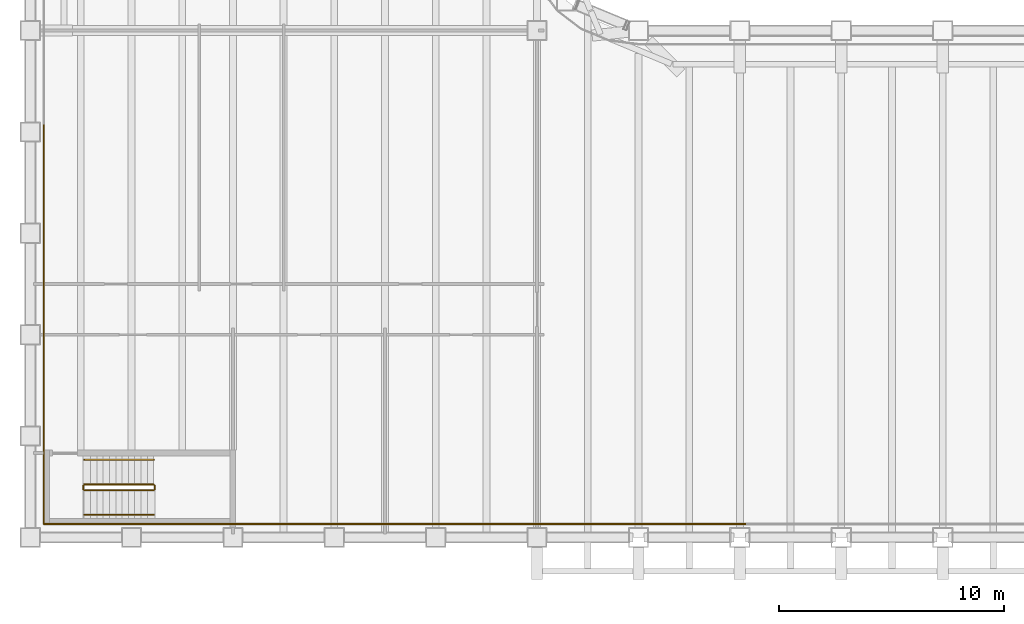
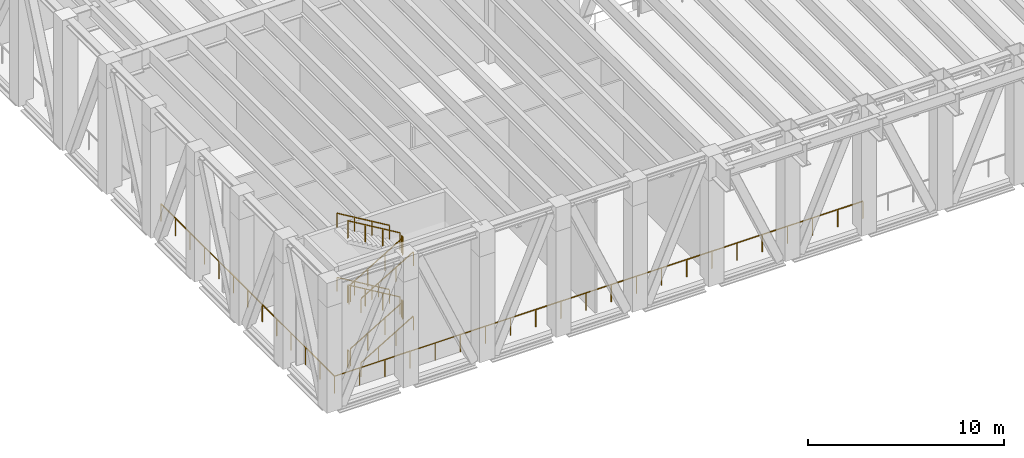
# One storey, part 13 of 16: 23 railings.
"""IFC4 building model written with IfcOpenShell, lengths in metres."""

from ifc_helpers import new_model, si_unit, direction, frame, origin, origin_2d, place, context, subcontext, project, spatial, rectangle, extrude, material, type_object, element, save


model = new_model("IFC4")

# Units and contexts
model_context = context("Model", 3, precision=1e-05, world=origin(), true_north=direction((0.0, 1.0)))
body_context = subcontext(model_context, "Body", "Model", "MODEL_VIEW")
ifc_project = project(units=[si_unit("LENGTHUNIT", "METRE"), si_unit("AREAUNIT", "SQUARE_METRE"), si_unit("VOLUMEUNIT", "CUBIC_METRE"), si_unit("PLANEANGLEUNIT", "RADIAN"), si_unit("MASSUNIT", "GRAM", prefix="KILO")], contexts=[model_context])

# Site, building, storey
site_placement = place(None, origin())
site = spatial("IfcSite", under=ifc_project, at=site_placement, CompositionType="ELEMENT")
building_placement = place(site_placement, origin())
building = spatial("IfcBuilding", under=site, at=building_placement, Name="Sennacour Bend Tower", CompositionType="ELEMENT")
storey_placement = place(building_placement, frame((0.0, 0.0, 187.0)))
storey = spatial("IfcBuildingStorey", under=building, at=storey_placement, Name="L43", CompositionType="ELEMENT", Elevation=187.0)

# Railings
ifc_material_1 = material(Name="Stainless steel 316", Category="steel")
railing_type_1 = type_object("IfcRailingType", Name="GUARD 1100", PredefinedType="GUARDRAIL", material=ifc_material_1)
for number, where, name in (
    (1, (31.74951171875, 0.60009765625, 0.0), "Guard L43"),
    (2, (27.299560546875, 0.60009765625, 0.0), "Guard L43"),
    (3, (22.849609375, 0.60009765625, 0.0), "Guard L43"),
    (4, (18.399658203125, 0.60009765625, 0.0), "Guard L43"),
    (5, (13.94970703125, 0.60009765625, 0.0), "Guard L43"),
    (6, (9.499755859375, 0.60009765625, 0.0), "Guard L43"),
):
    element("IfcRailing", number, at=place(storey_placement, frame(where)), inside=storey, type_object=railing_type_1, Name=name, PredefinedType="GUARDRAIL", context=body_context, shape_type="SweptSolid", body=[
        extrude(rectangle(XDim=0.048095703125, YDim=0.048095703125, at=origin_2d()), frame((0.0, 0.0, 1.076171875), z_axis=(-1.0, 0.0, 0.0), x_axis=(0.0, -1.0, 0.0)), (0.0, 0.0, 1.0), 4.449951171875),
        extrude(rectangle(XDim=0.0419921875, YDim=0.0419921875, at=origin_2d()), origin(), (0.0, 0.0, 1.0), 1.052001953125),
        extrude(rectangle(XDim=0.0419921875, YDim=0.0419921875, at=origin_2d()), frame((-1.4833984375, 0.0, 0.0)), (0.0, 0.0, 1.0), 1.052001953125),
        extrude(rectangle(XDim=0.0419921875, YDim=0.0419921875, at=origin_2d()), frame((-2.966552734375, 0.0, 0.0)), (0.0, 0.0, 1.0), 1.052001953125),
        extrude(rectangle(XDim=0.0419921875, YDim=0.0419921875, at=origin_2d()), frame((-4.449951171875, 0.0, 0.0)), (0.0, 0.0, 1.0), 1.052001953125),
    ])
railing_1_placement = place(storey_placement, frame((5.0498046875, 0.60009765625, 0.0)))
element("IfcRailing", 7, at=railing_1_placement, inside=storey, type_object=railing_type_1, Name="Guard L43", PredefinedType="GUARDRAIL", context=body_context, shape_type="SweptSolid", body=[
    extrude(rectangle(XDim=0.048095703125, YDim=0.048095703125, at=origin_2d()), frame((0.0, 0.0, 1.076171875), z_axis=(-1.0, 0.0, 0.0), x_axis=(0.0, -1.0, 0.0)), (0.0, 0.0, 1.0), 4.44970703125),
    extrude(rectangle(XDim=0.0419921875, YDim=0.0419921875, at=origin_2d()), origin(), (0.0, 0.0, 1.0), 1.052001953125),
    extrude(rectangle(XDim=0.0419921875, YDim=0.0419921875, at=origin_2d()), frame((-1.483154296875, 0.0, 0.0)), (0.0, 0.0, 1.0), 1.052001953125),
    extrude(rectangle(XDim=0.0419921875, YDim=0.0419921875, at=origin_2d()), frame((-2.966552734375, 0.0, 0.0)), (0.0, 0.0, 1.0), 1.052001953125),
    extrude(rectangle(XDim=0.0419921875, YDim=0.0419921875, at=origin_2d()), frame((-4.44970703125, 0.0, 0.0)), (0.0, 0.0, 1.0), 1.052001953125),
])
for number, where, name in (
    (8, (0.60009765625, 0.60009765625, 0.0), "Guard L43"),
    (9, (0.60009765625, 5.02490234375, 0.0), "Guard L43"),
    (10, (0.60009765625, 9.44970703125, 0.0), "Guard L43"),
):
    element("IfcRailing", number, at=place(storey_placement, frame(where)), inside=storey, type_object=railing_type_1, Name=name, PredefinedType="GUARDRAIL", context=body_context, shape_type="SweptSolid", body=[
        extrude(rectangle(XDim=0.048095703125, YDim=0.048095703125, at=origin_2d()), frame((0.0, 0.0, 1.076171875), z_axis=(0.0, 1.0, 0.0), x_axis=(-1.0, 0.0, 0.0)), (0.0, 0.0, 1.0), 4.4248046875),
        extrude(rectangle(XDim=0.0419921875, YDim=0.0419921875, at=origin_2d()), origin(), (0.0, 0.0, 1.0), 1.052001953125),
        extrude(rectangle(XDim=0.0419921875, YDim=0.0419921875, at=origin_2d()), frame((0.0, 1.474853515625, 0.0)), (0.0, 0.0, 1.0), 1.052001953125),
        extrude(rectangle(XDim=0.0419921875, YDim=0.0419921875, at=origin_2d()), frame((0.0, 2.949951171875, 0.0)), (0.0, 0.0, 1.0), 1.052001953125),
        extrude(rectangle(XDim=0.0419921875, YDim=0.0419921875, at=origin_2d()), frame((0.0, 4.4248046875, 0.0)), (0.0, 0.0, 1.0), 1.052001953125),
    ])
railing_2_placement = place(storey_placement, frame((0.60009765625, 13.87451171875, 0.0)))
element("IfcRailing", 11, at=railing_2_placement, inside=storey, type_object=railing_type_1, Name="Guard L43", PredefinedType="GUARDRAIL", context=body_context, shape_type="SweptSolid", body=[
    extrude(rectangle(XDim=0.048095703125, YDim=0.048095703125, at=origin_2d()), frame((0.0, 0.0, 1.076171875), z_axis=(0.0, 1.0, 0.0), x_axis=(-1.0, 0.0, 0.0)), (0.0, 0.0, 1.0), 4.425048828125),
    extrude(rectangle(XDim=0.0419921875, YDim=0.0419921875, at=origin_2d()), origin(), (0.0, 0.0, 1.0), 1.052001953125),
    extrude(rectangle(XDim=0.0419921875, YDim=0.0419921875, at=origin_2d()), frame((0.0, 1.47509765625, 0.0)), (0.0, 0.0, 1.0), 1.052001953125),
    extrude(rectangle(XDim=0.0419921875, YDim=0.0419921875, at=origin_2d()), frame((0.0, 2.949951171875, 0.0)), (0.0, 0.0, 1.0), 1.052001953125),
    extrude(rectangle(XDim=0.0419921875, YDim=0.0419921875, at=origin_2d()), frame((0.0, 4.425048828125, 0.0)), (0.0, 0.0, 1.0), 1.052001953125),
])
ifc_material_2 = material(Name="Stainless steel", Category="steel")
railing_type_2 = type_object("IfcRailingType", Name="RL-GUARD-1100", PredefinedType="GUARDRAIL", material=ifc_material_2)
railing_3_placement = place(storey_placement, frame((2.39990234375, 2.10009765625, 0.166748046875)))
element("IfcRailing", 12, at=railing_3_placement, inside=storey, type_object=railing_type_2, Name="L43 SK1 stair guard 1", PredefinedType="GUARDRAIL", context=body_context, shape_type="SweptSolid", body=[
    extrude(rectangle(XDim=0.048095703125, YDim=0.048095703125, at=origin_2d()), frame((0.0, 0.0, 1.076171875), z_axis=(0.859308565015, 0.0, 0.511457515432), x_axis=(0.0, 1.0, 0.0)), (0.0, 0.0, 1.0), 3.58447265625),
    extrude(rectangle(XDim=0.0419921875, YDim=0.0419921875, at=origin_2d()), origin(), (0.0, 0.0, 1.0), 1.052001953125),
    extrude(rectangle(XDim=0.0419921875, YDim=0.0419921875, at=origin_2d()), frame((1.026611328125, 0.0, 0.611083984375)), (0.0, 0.0, 1.0), 1.052001953125),
    extrude(rectangle(XDim=0.0419921875, YDim=0.0419921875, at=origin_2d()), frame((2.053466796875, 0.0, 1.22216796875)), (0.0, 0.0, 1.0), 1.052001953125),
    extrude(rectangle(XDim=0.0419921875, YDim=0.0419921875, at=origin_2d()), frame((3.080078125, 0.0, 1.833251953125)), (0.0, 0.0, 1.0), 1.052001953125),
])
railing_4_placement = place(storey_placement, frame((5.530029296875, 2.14990234375, 2.0)))
element("IfcRailing", 13, at=railing_4_placement, inside=storey, type_object=railing_type_2, Name="L43 SK1 stair guard 2", PredefinedType="GUARDRAIL", context=body_context, shape_type="SweptSolid", body=[
    extrude(rectangle(XDim=0.048095703125, YDim=0.048095703125, at=origin_2d()), frame((0.0, 0.0, 1.076171875), z_axis=(0.0, 1.0, 0.0), x_axis=(-1.0, 0.0, 0.0)), (0.0, 0.0, 1.0), 0.150146484375),
    extrude(rectangle(XDim=0.0419921875, YDim=0.0419921875, at=origin_2d()), origin(), (0.0, 0.0, 1.0), 1.052001953125),
    extrude(rectangle(XDim=0.0419921875, YDim=0.0419921875, at=origin_2d()), frame((0.0, 0.150146484375, 0.0)), (0.0, 0.0, 1.0), 1.052001953125),
])
railing_5_placement = place(storey_placement, frame((5.47998046875, 2.35009765625, 2.166748046875)))
element("IfcRailing", 14, at=railing_5_placement, inside=storey, type_object=railing_type_2, Name="L43 SK1 stair guard 3", PredefinedType="GUARDRAIL", context=body_context, shape_type="SweptSolid", body=[
    extrude(rectangle(XDim=0.048095703125, YDim=0.048095703125, at=origin_2d()), frame((0.0, 0.0, 1.076171875), z_axis=(-0.859308565015, 0.0, 0.511457515432), x_axis=(0.0, -1.0, 0.0)), (0.0, 0.0, 1.0), 3.58447265625),
    extrude(rectangle(XDim=0.0419921875, YDim=0.0419921875, at=origin_2d()), origin(), (0.0, 0.0, 1.0), 1.052001953125),
    extrude(rectangle(XDim=0.0419921875, YDim=0.0419921875, at=origin_2d()), frame((-1.026611328125, 0.0, 0.611083984375)), (0.0, 0.0, 1.0), 1.052001953125),
    extrude(rectangle(XDim=0.0419921875, YDim=0.0419921875, at=origin_2d()), frame((-2.053466796875, 0.0, 1.22216796875)), (0.0, 0.0, 1.0), 1.052001953125),
    extrude(rectangle(XDim=0.0419921875, YDim=0.0419921875, at=origin_2d()), frame((-3.080078125, 0.0, 1.833251953125)), (0.0, 0.0, 1.0), 1.052001953125),
])
railing_6_placement = place(storey_placement, frame((2.35009765625, 2.14990234375, 4.0)))
element("IfcRailing", 15, at=railing_6_placement, inside=storey, type_object=railing_type_2, Name="L43 SK1 stair guard 4", PredefinedType="GUARDRAIL", context=body_context, shape_type="SweptSolid", body=[
    extrude(rectangle(XDim=0.048095703125, YDim=0.048095703125, at=origin_2d()), frame((0.0, 0.0, 1.076171875), z_axis=(0.0, 1.0, 0.0), x_axis=(-1.0, 0.0, 0.0)), (0.0, 0.0, 1.0), 0.150146484375),
    extrude(rectangle(XDim=0.0419921875, YDim=0.0419921875, at=origin_2d()), origin(), (0.0, 0.0, 1.0), 1.052001953125),
    extrude(rectangle(XDim=0.0419921875, YDim=0.0419921875, at=origin_2d()), frame((0.0, 0.150146484375, 0.0)), (0.0, 0.0, 1.0), 1.052001953125),
])
railing_7_placement = place(storey_placement, frame((2.39990234375, 2.10009765625, 4.166748046875)))
element("IfcRailing", 16, at=railing_7_placement, inside=storey, type_object=railing_type_2, Name="L43 SK1 stair guard 5", PredefinedType="GUARDRAIL", context=body_context, shape_type="SweptSolid", body=[
    extrude(rectangle(XDim=0.048095703125, YDim=0.048095703125, at=origin_2d()), frame((0.0, 0.0, 1.076171875), z_axis=(0.859308565015, 0.0, 0.511457515432), x_axis=(0.0, 1.0, 0.0)), (0.0, 0.0, 1.0), 3.58447265625),
    extrude(rectangle(XDim=0.0419921875, YDim=0.0419921875, at=origin_2d()), origin(), (0.0, 0.0, 1.0), 1.052001953125),
    extrude(rectangle(XDim=0.0419921875, YDim=0.0419921875, at=origin_2d()), frame((1.026611328125, 0.0, 0.611083984375)), (0.0, 0.0, 1.0), 1.052001953125),
    extrude(rectangle(XDim=0.0419921875, YDim=0.0419921875, at=origin_2d()), frame((2.053466796875, 0.0, 1.22216796875)), (0.0, 0.0, 1.0), 1.052001953125),
    extrude(rectangle(XDim=0.0419921875, YDim=0.0419921875, at=origin_2d()), frame((3.080078125, 0.0, 1.833251953125)), (0.0, 0.0, 1.0), 1.052001953125),
])
railing_8_placement = place(storey_placement, frame((5.530029296875, 2.14990234375, 6.0)))
element("IfcRailing", 17, at=railing_8_placement, inside=storey, type_object=railing_type_2, Name="L43 SK1 stair guard 6", PredefinedType="GUARDRAIL", context=body_context, shape_type="SweptSolid", body=[
    extrude(rectangle(XDim=0.048095703125, YDim=0.048095703125, at=origin_2d()), frame((0.0, 0.0, 1.076171875), z_axis=(0.0, 1.0, 0.0), x_axis=(-1.0, 0.0, 0.0)), (0.0, 0.0, 1.0), 0.150146484375),
    extrude(rectangle(XDim=0.0419921875, YDim=0.0419921875, at=origin_2d()), origin(), (0.0, 0.0, 1.0), 1.052001953125),
    extrude(rectangle(XDim=0.0419921875, YDim=0.0419921875, at=origin_2d()), frame((0.0, 0.150146484375, 0.0)), (0.0, 0.0, 1.0), 1.052001953125),
])
railing_9_placement = place(storey_placement, frame((5.47998046875, 2.35009765625, 6.166748046875)))
element("IfcRailing", 18, at=railing_9_placement, inside=storey, type_object=railing_type_2, Name="L43 SK1 stair guard 7", PredefinedType="GUARDRAIL", context=body_context, shape_type="SweptSolid", body=[
    extrude(rectangle(XDim=0.048095703125, YDim=0.048095703125, at=origin_2d()), frame((0.0, 0.0, 1.076171875), z_axis=(-0.859308565015, 0.0, 0.511457515432), x_axis=(0.0, -1.0, 0.0)), (0.0, 0.0, 1.0), 3.58447265625),
    extrude(rectangle(XDim=0.0419921875, YDim=0.0419921875, at=origin_2d()), origin(), (0.0, 0.0, 1.0), 1.052001953125),
    extrude(rectangle(XDim=0.0419921875, YDim=0.0419921875, at=origin_2d()), frame((-1.026611328125, 0.0, 0.611083984375)), (0.0, 0.0, 1.0), 1.052001953125),
    extrude(rectangle(XDim=0.0419921875, YDim=0.0419921875, at=origin_2d()), frame((-2.053466796875, 0.0, 1.22216796875)), (0.0, 0.0, 1.0), 1.052001953125),
    extrude(rectangle(XDim=0.0419921875, YDim=0.0419921875, at=origin_2d()), frame((-3.080078125, 0.0, 1.833251953125)), (0.0, 0.0, 1.0), 1.052001953125),
])
railing_10_placement = place(storey_placement, frame((2.35009765625, 2.14990234375, 0.0)))
element("IfcRailing", 19, at=railing_10_placement, inside=storey, type_object=railing_type_2, Name="L43 SK1 stair guard 8", PredefinedType="GUARDRAIL", context=body_context, shape_type="SweptSolid", body=[
    extrude(rectangle(XDim=0.048095703125, YDim=0.048095703125, at=origin_2d()), frame((0.0, 0.0, 1.076171875), z_axis=(0.0, 1.0, 0.0), x_axis=(-1.0, 0.0, 0.0)), (0.0, 0.0, 1.0), 0.150146484375),
    extrude(rectangle(XDim=0.0419921875, YDim=0.0419921875, at=origin_2d()), origin(), (0.0, 0.0, 1.0), 1.052001953125),
    extrude(rectangle(XDim=0.0419921875, YDim=0.0419921875, at=origin_2d()), frame((0.0, 0.150146484375, 0.0)), (0.0, 0.0, 1.0), 1.052001953125),
])
railing_type_3 = type_object("IfcRailingType", Name="RL-HANDRAIL-900", PredefinedType="HANDRAIL", material=ifc_material_2)
railing_11_placement = place(storey_placement, frame((2.39990234375, 1.0, 0.166748046875)))
element("IfcRailing", 20, at=railing_11_placement, inside=storey, type_object=railing_type_3, Name="L43 SK1 stair handrail 1", PredefinedType="HANDRAIL", context=body_context, shape_type="SweptSolid", body=[
    extrude(rectangle(XDim=0.048095703125, YDim=0.048095703125, at=origin_2d()), frame((0.0, 0.0, 0.8759765625), z_axis=(0.859308565015, 0.0, 0.511457515432), x_axis=(0.0, 1.0, 0.0)), (0.0, 0.0, 1.0), 3.58447265625),
    extrude(rectangle(XDim=0.0419921875, YDim=0.0419921875, at=origin_2d()), origin(), (0.0, 0.0, 1.0), 0.851806640625),
    extrude(rectangle(XDim=0.0419921875, YDim=0.0419921875, at=origin_2d()), frame((1.026611328125, 0.0, 0.611083984375)), (0.0, 0.0, 1.0), 0.851806640625),
    extrude(rectangle(XDim=0.0419921875, YDim=0.0419921875, at=origin_2d()), frame((2.053466796875, 0.0, 1.22216796875)), (0.0, 0.0, 1.0), 0.851806640625),
    extrude(rectangle(XDim=0.0419921875, YDim=0.0419921875, at=origin_2d()), frame((3.080078125, 0.0, 1.833251953125)), (0.0, 0.0, 1.0), 0.851806640625),
])
railing_12_placement = place(storey_placement, frame((5.47998046875, 3.449951171875, 2.166748046875)))
element("IfcRailing", 21, at=railing_12_placement, inside=storey, type_object=railing_type_3, Name="L43 SK1 stair handrail 2", PredefinedType="HANDRAIL", context=body_context, shape_type="SweptSolid", body=[
    extrude(rectangle(XDim=0.048095703125, YDim=0.048095703125, at=origin_2d()), frame((0.0, 0.0, 0.8759765625), z_axis=(-0.859308565015, 0.0, 0.511457515432), x_axis=(0.0, -1.0, 0.0)), (0.0, 0.0, 1.0), 3.58447265625),
    extrude(rectangle(XDim=0.0419921875, YDim=0.0419921875, at=origin_2d()), origin(), (0.0, 0.0, 1.0), 0.851806640625),
    extrude(rectangle(XDim=0.0419921875, YDim=0.0419921875, at=origin_2d()), frame((-1.026611328125, 0.0, 0.611083984375)), (0.0, 0.0, 1.0), 0.851806640625),
    extrude(rectangle(XDim=0.0419921875, YDim=0.0419921875, at=origin_2d()), frame((-2.053466796875, 0.0, 1.22216796875)), (0.0, 0.0, 1.0), 0.851806640625),
    extrude(rectangle(XDim=0.0419921875, YDim=0.0419921875, at=origin_2d()), frame((-3.080078125, 0.0, 1.833251953125)), (0.0, 0.0, 1.0), 0.851806640625),
])
railing_13_placement = place(storey_placement, frame((2.39990234375, 1.0, 4.166748046875)))
element("IfcRailing", 22, at=railing_13_placement, inside=storey, type_object=railing_type_3, Name="L43 SK1 stair handrail 3", PredefinedType="HANDRAIL", context=body_context, shape_type="SweptSolid", body=[
    extrude(rectangle(XDim=0.048095703125, YDim=0.048095703125, at=origin_2d()), frame((0.0, 0.0, 0.8759765625), z_axis=(0.859308565015, 0.0, 0.511457515432), x_axis=(0.0, 1.0, 0.0)), (0.0, 0.0, 1.0), 3.58447265625),
    extrude(rectangle(XDim=0.0419921875, YDim=0.0419921875, at=origin_2d()), origin(), (0.0, 0.0, 1.0), 0.851806640625),
    extrude(rectangle(XDim=0.0419921875, YDim=0.0419921875, at=origin_2d()), frame((1.026611328125, 0.0, 0.611083984375)), (0.0, 0.0, 1.0), 0.851806640625),
    extrude(rectangle(XDim=0.0419921875, YDim=0.0419921875, at=origin_2d()), frame((2.053466796875, 0.0, 1.22216796875)), (0.0, 0.0, 1.0), 0.851806640625),
    extrude(rectangle(XDim=0.0419921875, YDim=0.0419921875, at=origin_2d()), frame((3.080078125, 0.0, 1.833251953125)), (0.0, 0.0, 1.0), 0.851806640625),
])
railing_14_placement = place(storey_placement, frame((5.47998046875, 3.449951171875, 6.166748046875)))
element("IfcRailing", 23, at=railing_14_placement, inside=storey, type_object=railing_type_3, Name="L43 SK1 stair handrail 4", PredefinedType="HANDRAIL", context=body_context, shape_type="SweptSolid", body=[
    extrude(rectangle(XDim=0.048095703125, YDim=0.048095703125, at=origin_2d()), frame((0.0, 0.0, 0.8759765625), z_axis=(-0.859308565015, 0.0, 0.511457515432), x_axis=(0.0, -1.0, 0.0)), (0.0, 0.0, 1.0), 3.58447265625),
    extrude(rectangle(XDim=0.0419921875, YDim=0.0419921875, at=origin_2d()), origin(), (0.0, 0.0, 1.0), 0.851806640625),
    extrude(rectangle(XDim=0.0419921875, YDim=0.0419921875, at=origin_2d()), frame((-1.026611328125, 0.0, 0.611083984375)), (0.0, 0.0, 1.0), 0.851806640625),
    extrude(rectangle(XDim=0.0419921875, YDim=0.0419921875, at=origin_2d()), frame((-2.053466796875, 0.0, 1.22216796875)), (0.0, 0.0, 1.0), 0.851806640625),
    extrude(rectangle(XDim=0.0419921875, YDim=0.0419921875, at=origin_2d()), frame((-3.080078125, 0.0, 1.833251953125)), (0.0, 0.0, 1.0), 0.851806640625),
])

save(model, "model.ifc")
